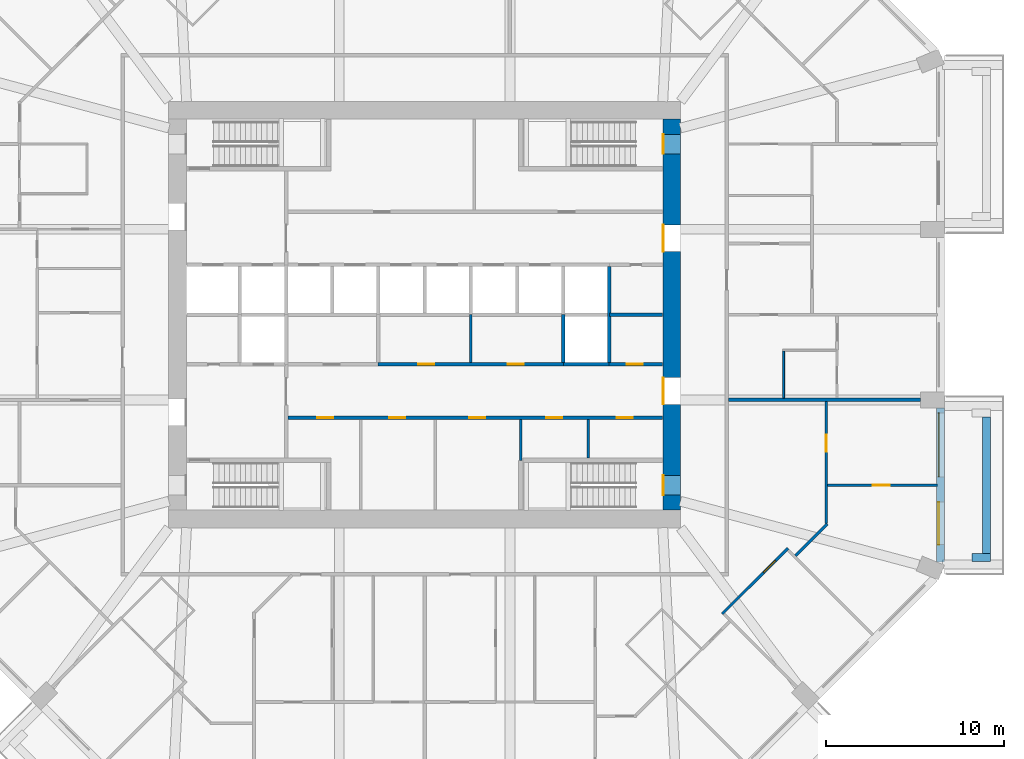
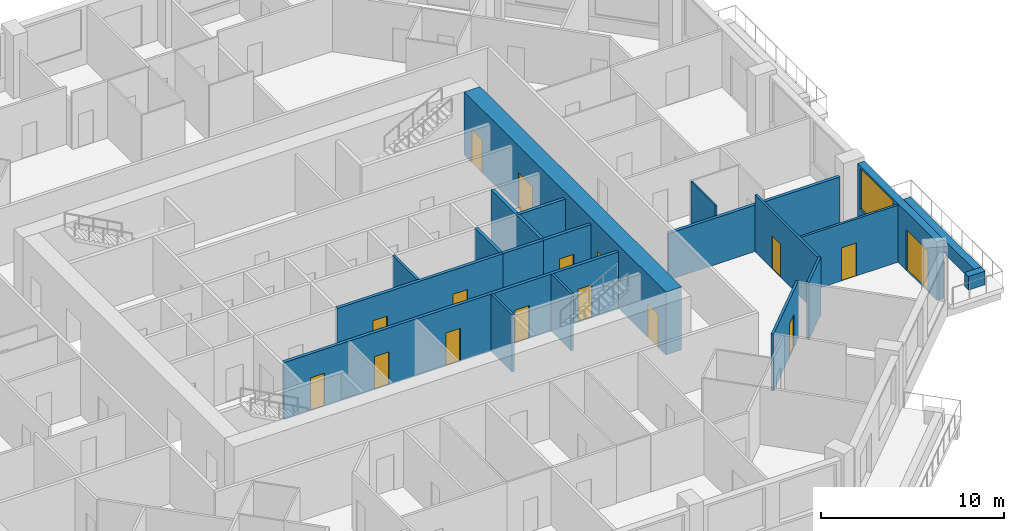
# One storey, part 6 of 13: 20 walls, 16 doors, 1 window, 17 openings.
"""IFC4 building model written with IfcOpenShell, lengths in metres."""

from ifc_helpers import new_model, si_unit, direction, frame, frame_2d, origin, place, context, subcontext, project, spatial, rectangle, extrude, material, layer, layer_set, type_object, element, fill, save


model = new_model("IFC4")

# Units and contexts
model_context = context("Model", 3, precision=1e-05, world=origin(), true_north=direction((0.0, 1.0)))
body_context = subcontext(model_context, "Body", "Model", "MODEL_VIEW")
ifc_project = project(units=[si_unit("LENGTHUNIT", "METRE"), si_unit("AREAUNIT", "SQUARE_METRE"), si_unit("VOLUMEUNIT", "CUBIC_METRE"), si_unit("PLANEANGLEUNIT", "RADIAN"), si_unit("MASSUNIT", "GRAM", prefix="KILO")], contexts=[model_context])

# Site, building, storey
site_placement = place(None, origin())
site = spatial("IfcSite", under=ifc_project, at=site_placement, CompositionType="ELEMENT")
building_placement = place(site_placement, origin())
building = spatial("IfcBuilding", under=site, at=building_placement, Name="Msitu Wima Residences", CompositionType="ELEMENT")
storey_placement = place(building_placement, frame((0.0, 0.0, 92.699951171875)))
storey = spatial("IfcBuildingStorey", under=building, at=storey_placement, Name="L21", CompositionType="ELEMENT", Elevation=92.699951171875)

# Walls
ifc_material_1 = material(Name="Facing brick")
ifc_layer_1 = layer(ifc_material_1, 0.06494140625, Name="Facing brick")
ifc_material_2 = material(Name="Concrete C40/50", Category="concrete")
ifc_layer_2 = layer(ifc_material_2, 0.156005859375, Name="Concrete C40/50")
ifc_material_3 = material(Name="Waterproofing membrane")
ifc_layer_3 = layer(ifc_material_3, 0.00390625, Name="Waterproofing membrane")
ifc_material_4 = material(Name="Planting soil and planting")
ifc_layer_4 = layer(ifc_material_4, 0.22509765625, Name="Planting soil and planting")
ifc_layer_set_1 = layer_set([ifc_layer_1, ifc_layer_2, ifc_layer_3, ifc_layer_4], Name="Concrete C40/50")
wall_type_1 = type_object("IfcWallType", Name="Balcony planter PLANTER PL450", PredefinedType="USERDEFINED", material=ifc_layer_set_1)
wall_1_placement = place(storey_placement, frame((31.625, -13.449951171875, 0.0), z_axis=(0.0, 0.0, 1.0), x_axis=(0.0, 1.0, 0.0)))
element("IfcWall", 1, at=wall_1_placement, inside=storey, type_object=wall_type_1, Name="Balcony planter E0 L21", ObjectType="PLANTER", PredefinedType="USERDEFINED", context=body_context, shape_type="SweptSolid", body=[
    extrude(rectangle(XDim=7.699951171875, YDim=0.449951171875, at=frame_2d((3.85009765625, 0.0))), origin(), (0.0, 0.0, 1.0), 0.900146484375),
])
wall_2_placement = place(storey_placement, frame((30.800048828125, -13.675048828125, 0.0), z_axis=(0.0, 0.0, 1.0), x_axis=(1.0, 0.0, 0.0)))
element("IfcWall", 2, at=wall_2_placement, inside=storey, type_object=wall_type_1, Name="Balcony planter E0 L21", ObjectType="PLANTER", PredefinedType="USERDEFINED", context=body_context, shape_type="SweptSolid", body=[
    extrude(rectangle(XDim=1.050048828125, YDim=0.449951171875, at=frame_2d((0.52490234375, 0.0))), origin(), (0.0, 0.0, 1.0), 0.900146484375),
])

# Wall, openings, door, window
ifc_material_5 = material(Name="Brick (red buff mix)", Category="masonry")
ifc_layer_5 = layer(ifc_material_5, 0.449951171875)
ifc_layer_set_2 = layer_set([ifc_layer_5], Name="Brick (red buff mix)")
wall_type_2 = type_object("IfcWallType", Name="Brick infill wall BW450", PredefinedType="SOLIDWALL", material=ifc_layer_set_2)
wall_3_placement = place(storey_placement, frame((29.02490234375, -13.912841796875, 0.0), z_axis=(0.0, 0.0, 1.0), x_axis=(0.0, 1.0, 0.0)))
wall_3 = element("IfcWall", 3, at=wall_3_placement, inside=storey, type_object=wall_type_2, Name="Brick infill wall L21 E0", PredefinedType="SOLIDWALL", context=body_context, shape_type="SweptSolid", body=[
    extrude(rectangle(XDim=8.662841796875, YDim=0.449951171875, at=frame_2d((4.33154296875, 0.0))), origin(), (0.0, 0.0, 1.0), 3.900146484375),
])
opening_1_placement = place(wall_3_placement, frame((0.9658203125, 0.0, 0.0)))
opening_1 = element("IfcOpeningElement", 4, at=opening_1_placement, cuts=wall_3, Name="Opening D21.001", PredefinedType="OPENING", context=body_context, shape_type="SweptSolid", body=[
    extrude(rectangle(XDim=2.39990234375, YDim=2.699951171875, at=frame_2d((1.199951171875, 1.35009765625))), frame((0.0, 0.23486328125, 0.0), z_axis=(0.0, -1.0, 0.0), x_axis=(1.0, 0.0, 0.0)), (0.0, 0.0, 1.0), 0.469970703125),
])
opening_2_placement = place(wall_3_placement, frame((4.781494140625, 0.0, 1.050048828125)))
opening_2 = element("IfcOpeningElement", 5, at=opening_2_placement, cuts=wall_3, Name="Opening W21.001", PredefinedType="OPENING", context=body_context, shape_type="SweptSolid", body=[
    extrude(rectangle(XDim=3.60009765625, YDim=2.699951171875, at=frame_2d((1.800048828125, 1.35009765625))), frame((0.0, 0.23486328125, 0.0), z_axis=(0.0, -1.0, 0.0), x_axis=(1.0, 0.0, 0.0)), (0.0, 0.0, 1.0), 0.469970703125),
])
ifc_material_6 = material(Name="Anodised aluminium, bronze finish, clear low-emissivity double glazing", Category="aluminium")
door_type_1 = type_object("IfcDoorType", Name="Balcony door D2400x2700", OperationType="SLIDING_TO_LEFT", PredefinedType="DOOR", material=ifc_material_6)
door_1_placement = place(opening_1_placement, origin())
door_1 = element("IfcDoor", 6, at=door_1_placement, inside=storey, type_object=door_type_1, Name="Balcony door L21 E0", OperationType="SINGLE_SWING_LEFT", OverallHeight=2.699951171875, OverallWidth=2.39990234375, PredefinedType="DOOR", context=body_context, shape_type="SweptSolid", body=[
    extrude(rectangle(XDim=2.39990234375, YDim=2.699951171875, at=frame_2d((1.199951171875, 1.35009765625))), frame((0.0, 0.1298828125, 0.0), z_axis=(0.0, -1.0, 0.0), x_axis=(1.0, 0.0, 0.0)), (0.0, 0.0, 1.0), 0.050048828125),
])
fill(opening_1, door_1)
window_type = type_object("IfcWindowType", Name="Window W3600x2700", PartitioningType="DOUBLE_PANEL_VERTICAL", PredefinedType="WINDOW", material=ifc_material_6)
window_placement = place(opening_2_placement, origin())
window = element("IfcWindow", 7, at=window_placement, inside=storey, type_object=window_type, Name="Window L21 E0.2", OverallHeight=2.699951171875, OverallWidth=3.60009765625, PartitioningType="SINGLE_PANEL", PredefinedType="WINDOW", context=body_context, shape_type="SweptSolid", body=[
    extrude(rectangle(XDim=3.60009765625, YDim=2.699951171875, at=frame_2d((1.800048828125, 1.35009765625))), frame((0.0, 0.135009765625, 0.0), z_axis=(0.0, -1.0, 0.0), x_axis=(1.0, 0.0, 0.0)), (0.0, 0.0, 1.0), 0.06005859375),
])
fill(opening_2, window)

# Wall, openings, doors
ifc_material_7 = material(Name="Concrete C80/95", Category="concrete")
ifc_layer_6 = layer(ifc_material_7, 1.0)
ifc_layer_set_3 = layer_set([ifc_layer_6], Name="Concrete C80/95")
wall_type_3 = type_object("IfcWallType", Name="Core wall CW1000 C80/95", PredefinedType="SHEAR", material=ifc_layer_set_3)
wall_4_placement = place(storey_placement, frame((13.89990234375, -11.0, 0.0), z_axis=(0.0, 0.0, 1.0), x_axis=(0.0, 1.0, 0.0)))
wall_4 = element("IfcWall", 8, at=wall_4_placement, inside=storey, type_object=wall_type_3, Name="Core wall", PredefinedType="SHEAR", context=body_context, shape_type="SweptSolid", body=[
    extrude(rectangle(XDim=22.0, YDim=1.0, at=frame_2d((11.0, 0.0))), origin(), (0.0, 0.0, 1.0), 4.199951171875),
])
opening_3_placement = place(wall_4_placement, frame((20.050048828125, 0.0, 0.0)))
opening_3 = element("IfcOpeningElement", 9, at=opening_3_placement, cuts=wall_4, Name="Opening D21.038", PredefinedType="OPENING", context=body_context, shape_type="SweptSolid", body=[
    extrude(rectangle(XDim=1.10009765625, YDim=2.199951171875, at=frame_2d((0.550048828125, 1.10009765625))), frame((0.0, 0.510009765625, 0.0), z_axis=(0.0, -1.0, 0.0), x_axis=(1.0, 0.0, 0.0)), (0.0, 0.0, 1.0), 1.02001953125),
])
opening_4_placement = place(wall_4_placement, frame((0.85009765625, 0.0, 0.0)))
opening_4 = element("IfcOpeningElement", 10, at=opening_4_placement, cuts=wall_4, Name="Opening D21.039", PredefinedType="OPENING", context=body_context, shape_type="SweptSolid", body=[
    extrude(rectangle(XDim=1.10009765625, YDim=2.199951171875, at=frame_2d((0.550048828125, 1.10009765625))), frame((0.0, 0.510009765625, 0.0), z_axis=(0.0, -1.0, 0.0), x_axis=(1.0, 0.0, 0.0)), (0.0, 0.0, 1.0), 1.02001953125),
])
opening_5_placement = place(wall_4_placement, frame((14.550048828125, 0.0, 0.0)))
opening_5 = element("IfcOpeningElement", 11, at=opening_5_placement, cuts=wall_4, Name="Opening D21.027", PredefinedType="OPENING", context=body_context, shape_type="SweptSolid", body=[
    extrude(rectangle(XDim=1.5, YDim=2.39990234375, at=frame_2d((0.75, 1.199951171875))), frame((0.0, 0.510009765625, 0.0), z_axis=(0.0, -1.0, 0.0), x_axis=(1.0, 0.0, 0.0)), (0.0, 0.0, 1.0), 1.02001953125),
])
opening_6_placement = place(wall_4_placement, frame((5.949951171875, 0.0, 0.0)))
opening_6 = element("IfcOpeningElement", 12, at=opening_6_placement, cuts=wall_4, Name="Opening D21.028", PredefinedType="OPENING", context=body_context, shape_type="SweptSolid", body=[
    extrude(rectangle(XDim=1.5, YDim=2.39990234375, at=frame_2d((0.75, 1.199951171875))), frame((0.0, 0.510009765625, 0.0), z_axis=(0.0, -1.0, 0.0), x_axis=(1.0, 0.0, 0.0)), (0.0, 0.0, 1.0), 1.02001953125),
])
ifc_material_8 = material(Name="Steel framed glazed door, fire resisting", Category="steel")
door_type_2 = type_object("IfcDoorType", Name="Lobby door D07 1500x2400", OperationType="DOUBLE_DOOR_SINGLE_SWING", PredefinedType="DOOR", material=ifc_material_8)
door_2_placement = place(opening_5_placement, origin())
door_2 = element("IfcDoor", 13, at=door_2_placement, inside=storey, type_object=door_type_2, Name="Lobby door", OperationType="DOUBLE_DOOR_SINGLE_SWING", OverallHeight=2.39990234375, OverallWidth=1.5, PredefinedType="DOOR", context=body_context, shape_type="SweptSolid", body=[
    extrude(rectangle(XDim=1.5, YDim=2.39990234375, at=frame_2d((0.75, 1.199951171875))), frame((0.0, 0.4951171875, 0.0), z_axis=(0.0, -1.0, 0.0), x_axis=(1.0, 0.0, 0.0)), (0.0, 0.0, 1.0), 0.050048828125),
])
fill(opening_5, door_2)
door_3_placement = place(opening_6_placement, origin())
door_3 = element("IfcDoor", 14, at=door_3_placement, inside=storey, type_object=door_type_2, Name="Lobby door", OperationType="DOUBLE_DOOR_SINGLE_SWING", OverallHeight=2.39990234375, OverallWidth=1.5, PredefinedType="DOOR", context=body_context, shape_type="SweptSolid", body=[
    extrude(rectangle(XDim=1.5, YDim=2.39990234375, at=frame_2d((0.75, 1.199951171875))), frame((0.0, 0.4951171875, 0.0), z_axis=(0.0, -1.0, 0.0), x_axis=(1.0, 0.0, 0.0)), (0.0, 0.0, 1.0), 0.050048828125),
])
fill(opening_6, door_3)
ifc_material_9 = material(Name="Steel door, fire resisting, panic bar", Category="steel")
door_type_3 = type_object("IfcDoorType", Name="Stair door D06 1100x2200", OperationType="SINGLE_SWING_LEFT", PredefinedType="DOOR", material=ifc_material_9)
door_4_placement = place(opening_3_placement, origin())
door_4 = element("IfcDoor", 15, at=door_4_placement, inside=storey, type_object=door_type_3, Name="Stair door", OperationType="SINGLE_SWING_LEFT", OverallHeight=2.199951171875, OverallWidth=1.10009765625, PredefinedType="DOOR", context=body_context, shape_type="SweptSolid", body=[
    extrude(rectangle(XDim=1.10009765625, YDim=2.199951171875, at=frame_2d((0.550048828125, 1.10009765625))), frame((0.0, 0.4951171875, 0.0), z_axis=(0.0, -1.0, 0.0), x_axis=(1.0, 0.0, 0.0)), (0.0, 0.0, 1.0), 0.050048828125),
])
fill(opening_3, door_4)
door_5_placement = place(opening_4_placement, origin())
door_5 = element("IfcDoor", 16, at=door_5_placement, inside=storey, type_object=door_type_3, Name="Stair door", OperationType="SINGLE_SWING_RIGHT", OverallHeight=2.199951171875, OverallWidth=1.10009765625, PredefinedType="DOOR", context=body_context, shape_type="SweptSolid", body=[
    extrude(rectangle(XDim=1.10009765625, YDim=2.199951171875, at=frame_2d((0.550048828125, 1.10009765625))), frame((0.0, 0.4951171875, 0.0), z_axis=(0.0, -1.0, 0.0), x_axis=(1.0, 0.0, 0.0)), (0.0, 0.0, 1.0), 0.050048828125),
])
fill(opening_4, door_5)

ifc_material_10 = material(Name="Plaster")
ifc_layer_7 = layer(ifc_material_10, 0.011962890625, Name="Plaster")
ifc_material_11 = material(Name="Concrete blockwork", Category="masonry")
ifc_layer_8 = layer(ifc_material_11, 0.176025390625, Name="Concrete blockwork")
ifc_layer_9 = layer(ifc_material_10, 0.011962890625, Name="Plaster")
ifc_layer_set_4 = layer_set([ifc_layer_7, ifc_layer_8, ifc_layer_9], Name="Concrete blockwork")
wall_type_4 = type_object("IfcWallType", Name="Corridor wall FW200", PredefinedType="PARTITIONING", material=ifc_layer_set_4)
wall_5_placement = place(storey_placement, frame((-7.699951171875, -5.800048828125, 0.0), z_axis=(0.0, 0.0, 1.0), x_axis=(1.0, 0.0, 0.0)))
wall_5 = element("IfcWall", 17, at=wall_5_placement, inside=storey, type_object=wall_type_4, Name="Corridor wall", PredefinedType="PARTITIONING", context=body_context, shape_type="SweptSolid", body=[
    extrude(rectangle(XDim=21.070068359375, YDim=0.199951171875, at=frame_2d((10.53515625, 0.0))), origin(), (0.0, 0.0, 1.0), 3.798095703125),
])
opening_7_placement = place(wall_5_placement, frame((1.64990234375, 0.0, 0.0)))
opening_7 = element("IfcOpeningElement", 18, at=opening_7_placement, cuts=wall_5, Name="Opening D21.022", PredefinedType="OPENING", context=body_context, shape_type="SweptSolid", body=[
    extrude(rectangle(XDim=0.89990234375, YDim=2.199951171875, at=frame_2d((0.449951171875, 1.10009765625))), frame((0.0, 0.10986328125, 0.0), z_axis=(0.0, -1.0, 0.0), x_axis=(1.0, 0.0, 0.0)), (0.0, 0.0, 1.0), 0.219970703125),
])
opening_8_placement = place(wall_5_placement, frame((5.699951171875, 0.0, 0.0)))
opening_8 = element("IfcOpeningElement", 19, at=opening_8_placement, cuts=wall_5, Name="Opening D21.023", PredefinedType="OPENING", context=body_context, shape_type="SweptSolid", body=[
    extrude(rectangle(XDim=0.89990234375, YDim=2.199951171875, at=frame_2d((0.449951171875, 1.10009765625))), frame((0.0, 0.10986328125, 0.0), z_axis=(0.0, -1.0, 0.0), x_axis=(1.0, 0.0, 0.0)), (0.0, 0.0, 1.0), 0.219970703125),
])
opening_9_placement = place(wall_5_placement, frame((10.199951171875, 0.0, 0.0)))
opening_9 = element("IfcOpeningElement", 20, at=opening_9_placement, cuts=wall_5, Name="Opening D21.024", PredefinedType="OPENING", context=body_context, shape_type="SweptSolid", body=[
    extrude(rectangle(XDim=0.89990234375, YDim=2.199951171875, at=frame_2d((0.449951171875, 1.10009765625))), frame((0.0, 0.10986328125, 0.0), z_axis=(0.0, -1.0, 0.0), x_axis=(1.0, 0.0, 0.0)), (0.0, 0.0, 1.0), 0.219970703125),
])
opening_10_placement = place(wall_5_placement, frame((14.550048828125, 0.0, 0.0)))
opening_10 = element("IfcOpeningElement", 21, at=opening_10_placement, cuts=wall_5, Name="Opening D21.025", PredefinedType="OPENING", context=body_context, shape_type="SweptSolid", body=[
    extrude(rectangle(XDim=0.89990234375, YDim=2.199951171875, at=frame_2d((0.449951171875, 1.10009765625))), frame((0.0, 0.10986328125, 0.0), z_axis=(0.0, -1.0, 0.0), x_axis=(1.0, 0.0, 0.0)), (0.0, 0.0, 1.0), 0.219970703125),
])
opening_11_placement = place(wall_5_placement, frame((18.5, 0.0, 0.0)))
opening_11 = element("IfcOpeningElement", 22, at=opening_11_placement, cuts=wall_5, Name="Opening D21.026", PredefinedType="OPENING", context=body_context, shape_type="SweptSolid", body=[
    extrude(rectangle(XDim=0.89990234375, YDim=2.199951171875, at=frame_2d((0.449951171875, 1.10009765625))), frame((0.0, 0.10986328125, 0.0), z_axis=(0.0, -1.0, 0.0), x_axis=(1.0, 0.0, 0.0)), (0.0, 0.0, 1.0), 0.219970703125),
])
ifc_material_12 = material(Name="Timber flush door", Category="wood")
door_type_4 = type_object("IfcDoorType", Name="Service door D05 900x2200", OperationType="SINGLE_SWING_LEFT", PredefinedType="DOOR", material=ifc_material_12)
door_6_placement = place(opening_7_placement, origin())
door_6 = element("IfcDoor", 23, at=door_6_placement, inside=storey, type_object=door_type_4, Name="Service door", OperationType="SINGLE_SWING_LEFT", OverallHeight=2.199951171875, OverallWidth=0.89990234375, PredefinedType="DOOR", context=body_context, shape_type="SweptSolid", body=[
    extrude(rectangle(XDim=0.89990234375, YDim=2.199951171875, at=frame_2d((0.449951171875, 1.10009765625))), frame((0.0, 0.02490234375, 0.0), z_axis=(0.0, -1.0, 0.0), x_axis=(1.0, 0.0, 0.0)), (0.0, 0.0, 1.0), 0.050048828125),
])
fill(opening_7, door_6)
door_7_placement = place(opening_8_placement, origin())
door_7 = element("IfcDoor", 24, at=door_7_placement, inside=storey, type_object=door_type_4, Name="Service door", OperationType="SINGLE_SWING_RIGHT", OverallHeight=2.199951171875, OverallWidth=0.89990234375, PredefinedType="DOOR", context=body_context, shape_type="SweptSolid", body=[
    extrude(rectangle(XDim=0.89990234375, YDim=2.199951171875, at=frame_2d((0.449951171875, 1.10009765625))), frame((0.0, 0.02490234375, 0.0), z_axis=(0.0, -1.0, 0.0), x_axis=(1.0, 0.0, 0.0)), (0.0, 0.0, 1.0), 0.050048828125),
])
fill(opening_8, door_7)
door_8_placement = place(opening_9_placement, origin())
door_8 = element("IfcDoor", 25, at=door_8_placement, inside=storey, type_object=door_type_4, Name="Service door", OperationType="SINGLE_SWING_RIGHT", OverallHeight=2.199951171875, OverallWidth=0.89990234375, PredefinedType="DOOR", context=body_context, shape_type="SweptSolid", body=[
    extrude(rectangle(XDim=0.89990234375, YDim=2.199951171875, at=frame_2d((0.449951171875, 1.10009765625))), frame((0.0, 0.02490234375, 0.0), z_axis=(0.0, -1.0, 0.0), x_axis=(1.0, 0.0, 0.0)), (0.0, 0.0, 1.0), 0.050048828125),
])
fill(opening_9, door_8)
door_9_placement = place(opening_10_placement, origin())
door_9 = element("IfcDoor", 26, at=door_9_placement, inside=storey, type_object=door_type_4, Name="Service door", OperationType="SINGLE_SWING_LEFT", OverallHeight=2.199951171875, OverallWidth=0.89990234375, PredefinedType="DOOR", context=body_context, shape_type="SweptSolid", body=[
    extrude(rectangle(XDim=0.89990234375, YDim=2.199951171875, at=frame_2d((0.449951171875, 1.10009765625))), frame((0.0, 0.02490234375, 0.0), z_axis=(0.0, -1.0, 0.0), x_axis=(1.0, 0.0, 0.0)), (0.0, 0.0, 1.0), 0.050048828125),
])
fill(opening_10, door_9)
door_10_placement = place(opening_11_placement, origin())
door_10 = element("IfcDoor", 27, at=door_10_placement, inside=storey, type_object=door_type_4, Name="Service door", OperationType="SINGLE_SWING_RIGHT", OverallHeight=2.199951171875, OverallWidth=0.89990234375, PredefinedType="DOOR", context=body_context, shape_type="SweptSolid", body=[
    extrude(rectangle(XDim=0.89990234375, YDim=2.199951171875, at=frame_2d((0.449951171875, 1.10009765625))), frame((0.0, 0.02490234375, 0.0), z_axis=(0.0, -1.0, 0.0), x_axis=(1.0, 0.0, 0.0)), (0.0, 0.0, 1.0), 0.050048828125),
])
fill(opening_11, door_10)

wall_6_placement = place(storey_placement, frame((-2.6201171875, -2.800048828125, 0.0), z_axis=(0.0, 0.0, 1.0), x_axis=(1.0, 0.0, 0.0)))
wall_6 = element("IfcWall", 28, at=wall_6_placement, inside=storey, type_object=wall_type_4, Name="Corridor wall", PredefinedType="PARTITIONING", context=body_context, shape_type="SweptSolid", body=[
    extrude(rectangle(XDim=10.440185546875, YDim=0.199951171875, at=frame_2d((5.22021484375, 0.0))), origin(), (0.0, 0.0, 1.0), 3.798095703125),
])
opening_12_placement = place(wall_6_placement, frame((2.25, 0.0, 0.0)))
opening_12 = element("IfcOpeningElement", 29, at=opening_12_placement, cuts=wall_6, Name="Opening D21.032", PredefinedType="OPENING", context=body_context, shape_type="SweptSolid", body=[
    extrude(rectangle(XDim=0.89990234375, YDim=2.199951171875, at=frame_2d((0.449951171875, 1.10009765625))), frame((0.0, 0.10986328125, 0.0), z_axis=(0.0, -1.0, 0.0), x_axis=(1.0, 0.0, 0.0)), (0.0, 0.0, 1.0), 0.219970703125),
])
opening_13_placement = place(wall_6_placement, frame((7.300048828125, 0.0, 0.0)))
opening_13 = element("IfcOpeningElement", 30, at=opening_13_placement, cuts=wall_6, Name="Opening D21.033", PredefinedType="OPENING", context=body_context, shape_type="SweptSolid", body=[
    extrude(rectangle(XDim=0.89990234375, YDim=2.199951171875, at=frame_2d((0.449951171875, 1.10009765625))), frame((0.0, 0.10986328125, 0.0), z_axis=(0.0, -1.0, 0.0), x_axis=(1.0, 0.0, 0.0)), (0.0, 0.0, 1.0), 0.219970703125),
])
door_11_placement = place(opening_12_placement, origin())
door_11 = element("IfcDoor", 31, at=door_11_placement, inside=storey, type_object=door_type_4, Name="Service door", OperationType="SINGLE_SWING_RIGHT", OverallHeight=2.199951171875, OverallWidth=0.89990234375, PredefinedType="DOOR", context=body_context, shape_type="SweptSolid", body=[
    extrude(rectangle(XDim=0.89990234375, YDim=2.199951171875, at=frame_2d((0.449951171875, 1.10009765625))), frame((0.0, 0.02490234375, 0.0), z_axis=(0.0, -1.0, 0.0), x_axis=(1.0, 0.0, 0.0)), (0.0, 0.0, 1.0), 0.050048828125),
])
fill(opening_12, door_11)
door_12_placement = place(opening_13_placement, origin())
door_12 = element("IfcDoor", 32, at=door_12_placement, inside=storey, type_object=door_type_4, Name="Service door", OperationType="SINGLE_SWING_LEFT", OverallHeight=2.199951171875, OverallWidth=0.89990234375, PredefinedType="DOOR", context=body_context, shape_type="SweptSolid", body=[
    extrude(rectangle(XDim=0.89990234375, YDim=2.199951171875, at=frame_2d((0.449951171875, 1.10009765625))), frame((0.0, 0.02490234375, 0.0), z_axis=(0.0, -1.0, 0.0), x_axis=(1.0, 0.0, 0.0)), (0.0, 0.0, 1.0), 0.050048828125),
])
fill(opening_13, door_12)

# Walls
ifc_layer_10 = layer(ifc_material_10, 0.011962890625, Name="Plaster")
ifc_layer_11 = layer(ifc_material_11, 0.1259765625, Name="Concrete blockwork")
ifc_layer_12 = layer(ifc_material_10, 0.011962890625, Name="Plaster")
ifc_layer_set_5 = layer_set([ifc_layer_10, ifc_layer_11, ifc_layer_12], Name="Concrete blockwork")
wall_type_5 = type_object("IfcWallType", Name="Partition PW150", PredefinedType="PARTITIONING", material=ifc_layer_set_5)
wall_7_placement = place(storey_placement, frame((2.60009765625, -2.699951171875, 0.0), z_axis=(0.0, 0.0, 1.0), x_axis=(0.0, 1.0, 0.0)))
element("IfcWall", 33, at=wall_7_placement, inside=storey, type_object=wall_type_5, Name="Partition", PredefinedType="PARTITIONING", context=body_context, shape_type="SweptSolid", body=[
    extrude(rectangle(XDim=2.699951171875, YDim=0.14990234375, at=frame_2d((1.35009765625, 0.0))), origin(), (0.0, 0.0, 1.0), 3.798095703125),
])
wall_8_placement = place(storey_placement, frame((5.39990234375, -8.199951171875, 0.0), z_axis=(0.0, 0.0, 1.0), x_axis=(0.0, 1.0, 0.0)))
element("IfcWall", 34, at=wall_8_placement, inside=storey, type_object=wall_type_5, Name="Partition", PredefinedType="PARTITIONING", context=body_context, shape_type="SweptSolid", body=[
    extrude(rectangle(XDim=2.300048828125, YDim=0.14990234375, at=frame_2d((1.14990234375, 0.0))), origin(), (0.0, 0.0, 1.0), 3.798095703125),
])
wall_9_placement = place(storey_placement, frame((9.199951171875, -8.074951171875, 0.0), z_axis=(0.0, 0.0, 1.0), x_axis=(0.0, 1.0, 0.0)))
element("IfcWall", 35, at=wall_9_placement, inside=storey, type_object=wall_type_5, Name="Partition", PredefinedType="PARTITIONING", context=body_context, shape_type="SweptSolid", body=[
    extrude(rectangle(XDim=2.175048828125, YDim=0.14990234375, at=frame_2d((1.08740234375, 0.0))), origin(), (0.0, 0.0, 1.0), 3.798095703125),
])

# Wall, opening, door
wall_10_placement = place(storey_placement, frame((16.738525390625, -16.8447265625, 0.0), z_axis=(0.0, 0.0, 1.0), x_axis=(0.707130070773, 0.707083490833, 0.0)))
wall_10 = element("IfcWall", 36, at=wall_10_placement, inside=storey, type_object=wall_type_5, Name="Partition", PredefinedType="PARTITIONING", context=body_context, shape_type="SweptSolid", body=[
    extrude(rectangle(XDim=5.2412109375, YDim=0.14990234375, at=frame_2d((2.62060546875, 0.0))), origin(), (0.0, 0.0, 1.0), 3.798095703125),
])
opening_14_placement = place(wall_10_placement, frame((3.300048828125, 0.0, 0.0)))
opening_14 = element("IfcOpeningElement", 37, at=opening_14_placement, cuts=wall_10, Name="Opening D21.082", PredefinedType="OPENING", context=body_context, shape_type="SweptSolid", body=[
    extrude(rectangle(XDim=0.949951171875, YDim=2.199951171875, at=frame_2d((0.47509765625, 1.10009765625))), frame((0.0, 0.0849609375, 0.0), z_axis=(0.0, -1.0, 0.0), x_axis=(1.0, 0.0, 0.0)), (0.0, 0.0, 1.0), 0.169921875),
])
door_type_5 = type_object("IfcDoorType", Name="Room door D12 950x2200", OperationType="SINGLE_SWING_LEFT", PredefinedType="DOOR", material=ifc_material_12)
door_13_placement = place(opening_14_placement, origin())
door_13 = element("IfcDoor", 38, at=door_13_placement, inside=storey, type_object=door_type_5, Name="Room door", OperationType="SINGLE_SWING_LEFT", OverallHeight=2.199951171875, OverallWidth=0.949951171875, PredefinedType="DOOR", context=body_context, shape_type="SweptSolid", body=[
    extrude(rectangle(XDim=0.949951171875, YDim=2.199951171875, at=frame_2d((0.47509765625, 1.10009765625))), frame((0.0, 0.02490234375, 0.0), z_axis=(0.0, -1.0, 0.0), x_axis=(1.0, 0.0, 0.0)), (0.0, 0.0, 1.0), 0.050048828125),
])
fill(opening_14, door_13)

# Wall
wall_11_placement = place(storey_placement, frame((20.868896484375, -13.56298828125, 0.0), z_axis=(0.0, 0.0, 1.0), x_axis=(0.707106781187, 0.707106781187, 0.0)))
element("IfcWall", 39, at=wall_11_placement, inside=storey, type_object=wall_type_5, Name="Partition", PredefinedType="PARTITIONING", context=body_context, shape_type="SweptSolid", body=[
    extrude(rectangle(XDim=2.523193359375, YDim=0.14990234375, at=frame_2d((1.26171875, 0.0))), origin(), (0.0, 0.0, 1.0), 3.798095703125),
])

# Wall, opening, door
wall_12_placement = place(storey_placement, frame((22.60009765625, -11.7568359375, 0.0), z_axis=(0.0, 0.0, 1.0), x_axis=(0.0, 1.0, 0.0)))
wall_12 = element("IfcWall", 40, at=wall_12_placement, inside=storey, type_object=wall_type_5, Name="Partition", PredefinedType="PARTITIONING", context=body_context, shape_type="SweptSolid", body=[
    extrude(rectangle(XDim=6.85693359375, YDim=0.14990234375, at=frame_2d((3.428466796875, 0.0))), origin(), (0.0, 0.0, 1.0), 3.798095703125),
])
opening_15_placement = place(wall_12_placement, frame((4.050048828125, 0.0, 0.0)))
opening_15 = element("IfcOpeningElement", 41, at=opening_15_placement, cuts=wall_12, Name="Opening D21.079", PredefinedType="OPENING", context=body_context, shape_type="SweptSolid", body=[
    extrude(rectangle(XDim=0.949951171875, YDim=2.199951171875, at=frame_2d((0.47509765625, 1.10009765625))), frame((0.0, 0.0849609375, 0.0), z_axis=(0.0, -1.0, 0.0), x_axis=(1.0, 0.0, 0.0)), (0.0, 0.0, 1.0), 0.169921875),
])
door_14_placement = place(opening_15_placement, origin())
door_14 = element("IfcDoor", 42, at=door_14_placement, inside=storey, type_object=door_type_5, Name="Room door", OperationType="SINGLE_SWING_RIGHT", OverallHeight=2.199951171875, OverallWidth=0.949951171875, PredefinedType="DOOR", context=body_context, shape_type="SweptSolid", body=[
    extrude(rectangle(XDim=0.949951171875, YDim=2.199951171875, at=frame_2d((0.47509765625, 1.10009765625))), frame((0.0, 0.02490234375, 0.0), z_axis=(0.0, -1.0, 0.0), x_axis=(1.0, 0.0, 0.0)), (0.0, 0.0, 1.0), 0.050048828125),
])
fill(opening_15, door_14)

wall_13_placement = place(storey_placement, frame((22.675048828125, -9.60009765625, 0.0), z_axis=(0.0, 0.0, 1.0), x_axis=(1.0, 0.0, 0.0)))
wall_13 = element("IfcWall", 43, at=wall_13_placement, inside=storey, type_object=wall_type_5, Name="Partition", PredefinedType="PARTITIONING", context=body_context, shape_type="SweptSolid", body=[
    extrude(rectangle(XDim=6.179931640625, YDim=0.14990234375, at=frame_2d((3.08984375, 0.0))), origin(), (0.0, 0.0, 1.0), 3.798095703125),
])
opening_16_placement = place(wall_13_placement, frame((2.550048828125, 0.0, 0.0)))
opening_16 = element("IfcOpeningElement", 44, at=opening_16_placement, cuts=wall_13, Name="Opening D21.083", PredefinedType="OPENING", context=body_context, shape_type="SweptSolid", body=[
    extrude(rectangle(XDim=0.949951171875, YDim=2.199951171875, at=frame_2d((0.47509765625, 1.10009765625))), frame((0.0, 0.0849609375, 0.0), z_axis=(0.0, -1.0, 0.0), x_axis=(1.0, 0.0, 0.0)), (0.0, 0.0, 1.0), 0.169921875),
])
door_15_placement = place(opening_16_placement, origin())
door_15 = element("IfcDoor", 45, at=door_15_placement, inside=storey, type_object=door_type_5, Name="Room door", OperationType="SINGLE_SWING_RIGHT", OverallHeight=2.199951171875, OverallWidth=0.949951171875, PredefinedType="DOOR", context=body_context, shape_type="SweptSolid", body=[
    extrude(rectangle(XDim=0.949951171875, YDim=2.199951171875, at=frame_2d((0.47509765625, 1.10009765625))), frame((0.0, 0.02490234375, 0.0), z_axis=(0.0, -1.0, 0.0), x_axis=(1.0, 0.0, 0.0)), (0.0, 0.0, 1.0), 0.050048828125),
])
fill(opening_16, door_15)

# Wall
ifc_layer_13 = layer(ifc_material_10, 0.011962890625, Name="Plaster")
ifc_material_13 = material(Name="Dense concrete blockwork", Category="masonry")
ifc_layer_14 = layer(ifc_material_13, 0.176025390625, Name="Dense concrete blockwork")
ifc_layer_15 = layer(ifc_material_10, 0.011962890625, Name="Plaster")
ifc_layer_set_6 = layer_set([ifc_layer_13, ifc_layer_14, ifc_layer_15], Name="Dense concrete blockwork")
wall_type_6 = type_object("IfcWallType", Name="Party wall PW200", PredefinedType="PARTITIONING", material=ifc_layer_set_6)
wall_14_placement = place(storey_placement, frame((17.10009765625, -4.800048828125, 0.0), z_axis=(0.0, 0.0, 1.0), x_axis=(1.0, 0.0, 0.0)))
element("IfcWall", 46, at=wall_14_placement, inside=storey, type_object=wall_type_6, Name="Party wall", PredefinedType="PARTITIONING", context=body_context, shape_type="SweptSolid", body=[
    extrude(rectangle(XDim=10.7998046875, YDim=0.199951171875, at=frame_2d((5.39990234375, 0.0))), origin(), (0.0, 0.0, 1.0), 3.10009765625),
])

# Wall, opening, door
ifc_layer_16 = layer(ifc_material_10, 0.011962890625, Name="Plaster")
ifc_material_14 = material(Name="Reinforced concrete blockwork", Category="masonry")
ifc_layer_17 = layer(ifc_material_14, 0.176025390625, Name="Reinforced concrete blockwork")
ifc_layer_18 = layer(ifc_material_10, 0.011962890625, Name="Plaster")
ifc_layer_set_7 = layer_set([ifc_layer_16, ifc_layer_17, ifc_layer_18], Name="Reinforced concrete blockwork")
wall_type_7 = type_object("IfcWallType", Name="Plant and riser wall PL200", PredefinedType="PARTITIONING", material=ifc_layer_set_7)
wall_15_placement = place(storey_placement, frame((10.3798828125, -2.800048828125, 0.0), z_axis=(0.0, 0.0, 1.0), x_axis=(1.0, 0.0, 0.0)))
wall_15 = element("IfcWall", 47, at=wall_15_placement, inside=storey, type_object=wall_type_7, Name="Plant and riser wall", PredefinedType="PARTITIONING", context=body_context, shape_type="SweptSolid", body=[
    extrude(rectangle(XDim=2.990234375, YDim=0.199951171875, at=frame_2d((1.4951171875, 0.0))), origin(), (0.0, 0.0, 1.0), 3.798095703125),
])
opening_17_placement = place(wall_15_placement, frame((1.0, 0.0, 0.0)))
opening_17 = element("IfcOpeningElement", 48, at=opening_17_placement, cuts=wall_15, Name="Opening D21.015", PredefinedType="OPENING", context=body_context, shape_type="SweptSolid", body=[
    extrude(rectangle(XDim=0.89990234375, YDim=2.199951171875, at=frame_2d((0.449951171875, 1.10009765625))), frame((0.0, 0.10986328125, 0.0), z_axis=(0.0, -1.0, 0.0), x_axis=(1.0, 0.0, 0.0)), (0.0, 0.0, 1.0), 0.219970703125),
])
door_16_placement = place(opening_17_placement, origin())
door_16 = element("IfcDoor", 49, at=door_16_placement, inside=storey, type_object=door_type_4, Name="Service door", OperationType="SINGLE_SWING_LEFT", OverallHeight=2.199951171875, OverallWidth=0.89990234375, PredefinedType="DOOR", context=body_context, shape_type="SweptSolid", body=[
    extrude(rectangle(XDim=0.89990234375, YDim=2.199951171875, at=frame_2d((0.449951171875, 1.10009765625))), frame((0.0, 0.02490234375, 0.0), z_axis=(0.0, -1.0, 0.0), x_axis=(1.0, 0.0, 0.0)), (0.0, 0.0, 1.0), 0.050048828125),
])
fill(opening_17, door_16)

# Walls
wall_16_placement = place(storey_placement, frame((10.39990234375, 0.0, 0.0), z_axis=(0.0, 0.0, 1.0), x_axis=(1.0, 0.0, 0.0)))
element("IfcWall", 50, at=wall_16_placement, inside=storey, type_object=wall_type_7, Name="Plant and riser wall", PredefinedType="PARTITIONING", context=body_context, shape_type="SweptSolid", body=[
    extrude(rectangle(XDim=2.97021484375, YDim=0.199951171875, at=frame_2d((1.485107421875, 0.0))), origin(), (0.0, 0.0, 1.0), 3.798095703125),
])
ifc_material_15 = material(Name="Fire-rated board")
ifc_layer_19 = layer(ifc_material_15, 0.02490234375, Name="Fire-rated board")
ifc_material_16 = material(Name="Light-gauge stud framing with mineral wool")
ifc_layer_20 = layer(ifc_material_16, 0.14990234375, Name="Light-gauge stud framing with mineral wool")
ifc_layer_21 = layer(ifc_material_15, 0.02490234375, Name="Fire-rated board")
ifc_layer_set_8 = layer_set([ifc_layer_19, ifc_layer_20, ifc_layer_21], Name="Light-gauge stud framing with mineral wool")
wall_type_8 = type_object("IfcWallType", Name="Shaft wall SH200", PredefinedType="PARTITIONING", material=ifc_layer_set_8)
wall_17_placement = place(storey_placement, frame((7.800048828125, -2.699951171875, 0.0), z_axis=(0.0, 0.0, 1.0), x_axis=(0.0, 1.0, 0.0)))
element("IfcWall", 51, at=wall_17_placement, inside=storey, type_object=wall_type_8, Name="Shaft wall", PredefinedType="PARTITIONING", context=body_context, shape_type="SweptSolid", body=[
    extrude(rectangle(XDim=2.699951171875, YDim=0.199951171875, at=frame_2d((1.35009765625, 0.0))), origin(), (0.0, 0.0, 1.0), 3.798095703125),
])
wall_18_placement = place(storey_placement, frame((7.820068359375, -2.800048828125, 0.0), z_axis=(0.0, 0.0, 1.0), x_axis=(1.0, 0.0, 0.0)))
element("IfcWall", 52, at=wall_18_placement, inside=storey, type_object=wall_type_8, Name="Shaft wall", PredefinedType="PARTITIONING", context=body_context, shape_type="SweptSolid", body=[
    extrude(rectangle(XDim=2.559814453125, YDim=0.199951171875, at=frame_2d((1.27978515625, 0.0))), origin(), (0.0, 0.0, 1.0), 3.798095703125),
])
wall_19_placement = place(storey_placement, frame((10.39990234375, -2.699951171875, 0.0), z_axis=(0.0, 0.0, 1.0), x_axis=(0.0, 1.0, 0.0)))
element("IfcWall", 53, at=wall_19_placement, inside=storey, type_object=wall_type_8, Name="Shaft wall", PredefinedType="PARTITIONING", context=body_context, shape_type="SweptSolid", body=[
    extrude(rectangle(XDim=5.39990234375, YDim=0.199951171875, at=frame_2d((2.699951171875, 0.0))), origin(), (0.0, 0.0, 1.0), 3.798095703125),
])
ifc_material_17 = material(Name="Ceramic tiles")
ifc_layer_22 = layer(ifc_material_17, 0.008056640625, Name="Ceramic tiles")
ifc_material_18 = material(Name="Moisture-resistant board")
ifc_layer_23 = layer(ifc_material_18, 0.012451171875, Name="Moisture-resistant board")
ifc_layer_24 = layer(ifc_material_16, 0.06689453125, Name="Light-gauge stud framing with mineral wool")
ifc_layer_25 = layer(ifc_material_18, 0.012451171875, Name="Moisture-resistant board")
ifc_layer_set_9 = layer_set([ifc_layer_22, ifc_layer_23, ifc_layer_24, ifc_layer_25], Name="Light-gauge stud framing with mineral wool")
wall_type_9 = type_object("IfcWallType", Name="Wet wall PW100", PredefinedType="PARTITIONING", material=ifc_layer_set_9)
wall_20_placement = place(storey_placement, frame((20.199951171875, -4.699951171875, 0.0), z_axis=(0.0, 0.0, 1.0), x_axis=(0.0, 1.0, 0.0)))
element("IfcWall", 54, at=wall_20_placement, inside=storey, type_object=wall_type_9, Name="Wet wall", PredefinedType="PARTITIONING", context=body_context, shape_type="SweptSolid", body=[
    extrude(rectangle(XDim=2.64990234375, YDim=0.10009765625, at=frame_2d((1.324951171875, 0.0))), origin(), (0.0, 0.0, 1.0), 3.798095703125),
])

save(model, "model.ifc")
